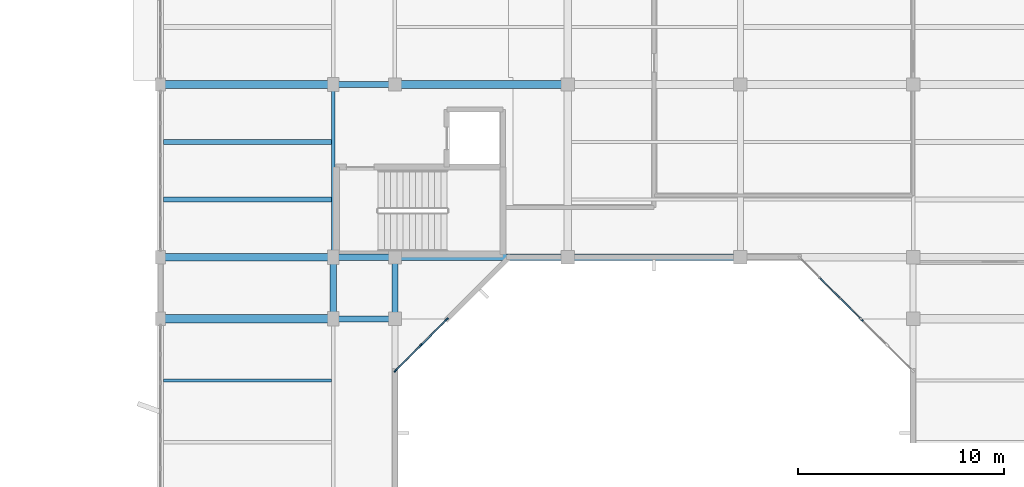
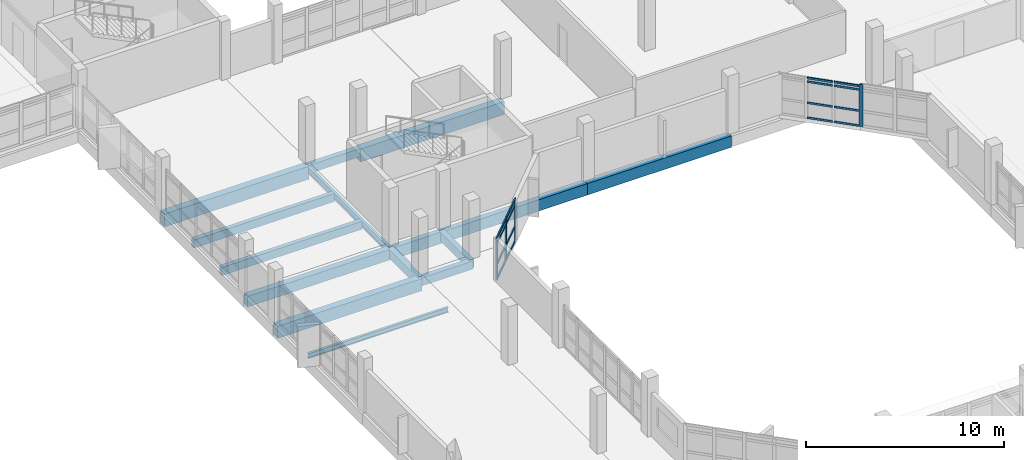
# One storey, part 30 of 104: 20 members, 15 beams, 3 elements without a shape of their own.
"""IFC4 building model written with IfcOpenShell, lengths in metres."""

from ifc_helpers import new_model, si_unit, direction, frame, origin, origin_2d, place, context, subcontext, project, spatial, rectangle, i_section, extrude, material, material_profile, profile_set, type_object, element, aggregate, save


model = new_model("IFC4")

# Units and contexts
model_context = context("Model", 3, precision=1e-05, world=origin(), true_north=direction((0.0, 1.0)))
body_context = subcontext(model_context, "Body", "Model", "MODEL_VIEW")
ifc_project = project(units=[si_unit("LENGTHUNIT", "METRE"), si_unit("AREAUNIT", "SQUARE_METRE"), si_unit("VOLUMEUNIT", "CUBIC_METRE"), si_unit("PLANEANGLEUNIT", "RADIAN"), si_unit("MASSUNIT", "GRAM", prefix="KILO")], contexts=[model_context])

# Site, building, storey
site_placement = place(None, origin())
site = spatial("IfcSite", under=ifc_project, at=site_placement, CompositionType="ELEMENT")
building_placement = place(site_placement, origin())
building = spatial("IfcBuilding", under=site, at=building_placement, Name="Vanh Quang Courtyard School", CompositionType="ELEMENT")
storey_placement = place(building_placement, frame((0.0, 0.0, 4.199951171875)))
storey = spatial("IfcBuildingStorey", under=building, at=storey_placement, Name="L01", CompositionType="ELEMENT", Elevation=4.199951171875)

# Beams
ifc_material_1 = material(Name="Concrete C35/45", Category="concrete")
ifc_material_profile_1 = material_profile(ifc_material_1, rectangle(XDim=0.300048828125, YDim=0.5, at=origin_2d()), Name="RC-BM 300x500")
ifc_profile_set_1 = profile_set([ifc_material_profile_1], Name="Concrete C35/45")
beam_type_1 = type_object("IfcBeamType", Name="BM-RC-300x500", PredefinedType="BEAM", material=ifc_profile_set_1)
for number, where, z_axis, x_axis, name in (
    (1, (37.800048828125, 68.39990234375, -0.530029296875), (1.0, 0.0, 0.0), (0.0, 1.0, 0.0), "Beam B-08 (L01)"),
    (2, (37.800048828125, 79.800048828125, -0.530029296875), (1.0, 0.0, 0.0), (0.0, 1.0, 0.0), "Beam B-08 (L01)"),
):
    element("IfcBeam", number, at=place(storey_placement, frame(where, z_axis=z_axis, x_axis=x_axis)), inside=storey, type_object=beam_type_1, Name=name, PredefinedType="BEAM", context=body_context, shape_type="SweptSolid", body=[
        extrude(rectangle(XDim=0.300048828125, YDim=0.5, at=origin_2d()), origin(), (0.0, 0.0, 1.0), 3.0),
    ])
ifc_material_profile_2 = material_profile(ifc_material_1, rectangle(XDim=0.300048828125, YDim=0.550048828125, at=origin_2d()), Name="RC-BM 300x550")
ifc_profile_set_2 = profile_set([ifc_material_profile_2], Name="Concrete C35/45")
beam_type_2 = type_object("IfcBeamType", Name="BM-RC-300x550", PredefinedType="BEAM", material=ifc_profile_set_2)
for number, where, z_axis, x_axis, name in (
    (3, (37.800048828125, 68.39990234375, -0.554931640625), (0.0, 1.0, 0.0), (-1.0, 0.0, 0.0), "Beam B-07 (L01)"),
    (4, (40.800048828125, 68.39990234375, -0.554931640625), (0.0, 1.0, 0.0), (-1.0, 0.0, 0.0), "Beam B-07 (L01)"),
):
    element("IfcBeam", number, at=place(storey_placement, frame(where, z_axis=z_axis, x_axis=x_axis)), inside=storey, type_object=beam_type_2, Name=name, PredefinedType="BEAM", context=body_context, shape_type="SweptSolid", body=[
        extrude(rectangle(XDim=0.300048828125, YDim=0.550048828125, at=origin_2d()), origin(), (0.0, 0.0, 1.0), 3.0),
    ])
ifc_material_profile_3 = material_profile(ifc_material_1, rectangle(XDim=0.35009765625, YDim=0.64990234375, at=origin_2d()), Name="RC-BM 350x650")
ifc_profile_set_3 = profile_set([ifc_material_profile_3], Name="Concrete C35/45")
beam_type_3 = type_object("IfcBeamType", Name="BM-RC-350x650", PredefinedType="BEAM", material=ifc_profile_set_3)
beam_1_placement = place(storey_placement, frame((29.39990234375, 71.39990234375, -0.60498046875), z_axis=(1.0, 0.0, 0.0), x_axis=(0.0, 1.0, 0.0)))
element("IfcBeam", 5, at=beam_1_placement, inside=storey, type_object=beam_type_3, Name="Beam B-05 (L01)", PredefinedType="BEAM", context=body_context, shape_type="SweptSolid", body=[
    extrude(rectangle(XDim=0.35009765625, YDim=0.64990234375, at=origin_2d()), origin(), (0.0, 0.0, 1.0), 8.400146484375),
])
ifc_material_profile_4 = material_profile(ifc_material_1, rectangle(XDim=0.39990234375, YDim=0.75, at=origin_2d()), Name="RC-BM 400x750")
ifc_profile_set_4 = profile_set([ifc_material_profile_4], Name="Concrete C35/45")
beam_type_4 = type_object("IfcBeamType", Name="BM-RC-400x750", PredefinedType="BEAM", material=ifc_profile_set_4)
beam_2_placement = place(storey_placement, frame((29.39990234375, 68.39990234375, -0.655029296875), z_axis=(1.0, 0.0, 0.0), x_axis=(0.0, 1.0, 0.0)))
element("IfcBeam", 6, at=beam_2_placement, inside=storey, type_object=beam_type_4, Name="Beam B-03 (L01)", PredefinedType="BEAM", context=body_context, shape_type="SweptSolid", body=[
    extrude(rectangle(XDim=0.39990234375, YDim=0.75, at=origin_2d()), origin(), (0.0, 0.0, 1.0), 8.400146484375),
])
ifc_material_profile_5 = material_profile(ifc_material_1, rectangle(XDim=0.39990234375, YDim=0.800048828125, at=origin_2d()), Name="RC-BM 400x800")
ifc_profile_set_5 = profile_set([ifc_material_profile_5], Name="Concrete C35/45")
beam_type_5 = type_object("IfcBeamType", Name="BM-RC-400x800", PredefinedType="BEAM", material=ifc_profile_set_5)
beam_3_placement = place(storey_placement, frame((29.39990234375, 79.800048828125, -0.679931640625), z_axis=(1.0, 0.0, 0.0), x_axis=(0.0, 1.0, 0.0)))
element("IfcBeam", 7, at=beam_3_placement, inside=storey, type_object=beam_type_5, Name="Beam B-02 (L01)", PredefinedType="BEAM", context=body_context, shape_type="SweptSolid", body=[
    extrude(rectangle(XDim=0.39990234375, YDim=0.800048828125, at=origin_2d()), origin(), (0.0, 0.0, 1.0), 8.400146484375),
])
beam_4_placement = place(storey_placement, frame((40.800048828125, 79.800048828125, -0.679931640625), z_axis=(1.0, 0.0, 0.0), x_axis=(0.0, 1.0, 0.0)))
element("IfcBeam", 8, at=beam_4_placement, inside=storey, type_object=beam_type_5, Name="Beam B-02 (L01)", PredefinedType="BEAM", context=body_context, shape_type="SweptSolid", body=[
    extrude(rectangle(XDim=0.39990234375, YDim=0.800048828125, at=origin_2d()), origin(), (0.0, 0.0, 1.0), 8.39990234375),
])
ifc_material_profile_6 = material_profile(ifc_material_1, rectangle(XDim=0.300048828125, YDim=0.699951171875, at=origin_2d()), Name="RC-SP 300x700")
ifc_profile_set_6 = profile_set([ifc_material_profile_6], Name="Concrete C35/45")
beam_type_6 = type_object("IfcBeamType", Name="BM-SP-300x700", PredefinedType="SPANDREL", material=ifc_profile_set_6)
beam_5_placement = place(storey_placement, frame((37.800048828125, 71.39990234375, -0.6298828125), z_axis=(1.0, 0.0, 0.0), x_axis=(0.0, 1.0, 0.0)))
element("IfcBeam", 9, at=beam_5_placement, inside=storey, type_object=beam_type_6, Name="Beam BS-01 (L01)", PredefinedType="SPANDREL", context=body_context, shape_type="SweptSolid", body=[
    extrude(rectangle(XDim=0.300048828125, YDim=0.699951171875, at=origin_2d()), origin(), (0.0, 0.0, 1.0), 3.0),
])
beam_6_placement = place(storey_placement, frame((40.800048828125, 71.39990234375, -0.6298828125), z_axis=(1.0, 0.0, 0.0), x_axis=(0.0, 1.0, 0.0)))
element("IfcBeam", 10, at=beam_6_placement, inside=storey, type_object=beam_type_6, Name="Beam BS-01 (L01)", PredefinedType="SPANDREL", context=body_context, shape_type="SweptSolid", body=[
    extrude(rectangle(XDim=0.300048828125, YDim=0.699951171875, at=origin_2d()), origin(), (0.0, 0.0, 1.0), 8.39990234375),
])
beam_7_placement = place(storey_placement, frame((49.199951171875, 71.39990234375, -0.6298828125), z_axis=(1.0, 0.0, 0.0), x_axis=(0.0, 1.0, 0.0)))
element("IfcBeam", 11, at=beam_7_placement, inside=storey, type_object=beam_type_6, Name="Beam BS-01 (L01)", PredefinedType="SPANDREL", context=body_context, shape_type="SweptSolid", body=[
    extrude(rectangle(XDim=0.300048828125, YDim=0.699951171875, at=origin_2d()), origin(), (0.0, 0.0, 1.0), 8.400146484375),
])
ifc_material_2 = material(Name="Structural steel EN 10025-2 S355J2", Category="steel")
ifc_material_profile_7 = material_profile(ifc_material_2, i_section(OverallWidth=0.179931640625, OverallDepth=0.39990234375, WebThickness=0.008544921875, FlangeThickness=0.013427734375, FilletRadius=0.02099609375, at=origin_2d()), Name="IPE 400")
ifc_profile_set_7 = profile_set([ifc_material_profile_7], Name="Structural steel EN 10025-2 S355J2")
beam_type_7 = type_object("IfcBeamType", Name="BM-STL-IPE400", PredefinedType="BEAM", material=ifc_profile_set_7)
beam_8_placement = place(storey_placement, frame((37.800048828125, 71.39990234375, -0.47998046875), z_axis=(0.0, 1.0, 0.0), x_axis=(-1.0, 0.0, 0.0)))
element("IfcBeam", 12, at=beam_8_placement, inside=storey, type_object=beam_type_7, Name="Beam SB-05 (L01)", PredefinedType="BEAM", context=body_context, shape_type="SweptSolid", body=[
    extrude(i_section(OverallWidth=0.179931640625, OverallDepth=0.39990234375, WebThickness=0.008544921875, FlangeThickness=0.013427734375, FilletRadius=0.02099609375, at=origin_2d()), origin(), (0.0, 0.0, 1.0), 8.400146484375),
])

# Curtain wall, members
ifc_material_3 = material(Name="Thermally broken aluminium unitised curtain wall", Category="aluminium")
curtain_wall_type_1 = type_object("IfcCurtainWallType", Name="CW-SYS-41", PredefinedType="NOTDEFINED", material=ifc_material_3)
curtain_wall_1_placement = place(storey_placement, origin())
curtain_wall_1 = element("IfcCurtainWall", 13, at=curtain_wall_1_placement, inside=storey, type_object=curtain_wall_type_1, Name="Curtain Wall CW-41 (L01)", PredefinedType="NOTDEFINED")
ifc_material_4 = material(Name="Anodised aluminium 6063-T6", Category="aluminium")
ifc_material_profile_8 = material_profile(ifc_material_4, rectangle(XDim=0.070068359375, YDim=0.179931640625, at=origin_2d()), Name="ALU-MUL 70x180")
ifc_profile_set_8 = profile_set([ifc_material_profile_8], Name="Anodised aluminium 6063-T6")
member_type_1 = type_object("IfcMemberType", Name="CW-MUL-70x180", PredefinedType="MULLION", material=ifc_profile_set_8)
member_1_placement = place(storey_placement, frame((43.3193359375, 68.375244140625, 0.0), z_axis=(0.0, 0.0, 1.0), x_axis=(0.707106781187, -0.707106781187, 0.0)))
member_1 = element("IfcMember", 14, at=member_1_placement, type_object=member_type_1, Name="CW-41 mullion 1", PredefinedType="MULLION", context=body_context, shape_type="SweptSolid", body=[
    extrude(rectangle(XDim=0.070068359375, YDim=0.179931640625, at=origin_2d()), origin(), (0.0, 0.0, 1.0), 2.60009765625),
])
member_2_placement = place(storey_placement, frame((42.072021484375, 67.1279296875, 0.0), z_axis=(0.0, 0.0, 1.0), x_axis=(0.707106781187, -0.707106781187, 0.0)))
member_2 = element("IfcMember", 15, at=member_2_placement, type_object=member_type_1, Name="CW-41 mullion 2", PredefinedType="MULLION", context=body_context, shape_type="SweptSolid", body=[
    extrude(rectangle(XDim=0.070068359375, YDim=0.179931640625, at=origin_2d()), origin(), (0.0, 0.0, 1.0), 2.60009765625),
])
member_3_placement = place(storey_placement, frame((40.82470703125, 65.880859375, 0.0), z_axis=(0.0, 0.0, 1.0), x_axis=(0.707106781187, -0.707106781187, 0.0)))
member_3 = element("IfcMember", 16, at=member_3_placement, type_object=member_type_1, Name="CW-41 mullion 3", PredefinedType="MULLION", context=body_context, shape_type="SweptSolid", body=[
    extrude(rectangle(XDim=0.070068359375, YDim=0.179931640625, at=origin_2d()), origin(), (0.0, 0.0, 1.0), 2.60009765625),
])

# Curtain wall, member
curtain_wall_2_placement = place(storey_placement, origin())
curtain_wall_2 = element("IfcCurtainWall", 17, at=curtain_wall_2_placement, inside=storey, type_object=curtain_wall_type_1, Name="Curtain Wall CW-41 (L01)", PredefinedType="NOTDEFINED")
ifc_material_profile_9 = material_profile(ifc_material_4, rectangle(XDim=0.080078125, YDim=0.199951171875, at=origin_2d()), Name="ALU-MUL 80x200")
ifc_profile_set_9 = profile_set([ifc_material_profile_9], Name="Anodised aluminium 6063-T6")
member_type_2 = type_object("IfcMemberType", Name="CW-MUL-80x200", PredefinedType="MULLION", material=ifc_profile_set_9)
member_4_placement = place(storey_placement, frame((63.484375, 68.371826171875, 0.0), z_axis=(0.0, 0.0, 1.0), x_axis=(-0.707106781187, -0.707106781187, 0.0)))
member_4 = element("IfcMember", 18, at=member_4_placement, type_object=member_type_2, Name="CW-41 mullion 3", PredefinedType="MULLION", context=body_context, shape_type="SweptSolid", body=[
    extrude(rectangle(XDim=0.080078125, YDim=0.199951171875, at=origin_2d()), origin(), (0.0, 0.0, 1.0), 2.60009765625),
])
aggregate(curtain_wall_2, [member_4])

# Curtain wall, members
curtain_wall_type_2 = type_object("IfcCurtainWallType", Name="CW-SYS-42", PredefinedType="NOTDEFINED", material=ifc_material_3)
curtain_wall_3_placement = place(storey_placement, origin())
curtain_wall_3 = element("IfcCurtainWall", 19, at=curtain_wall_3_placement, inside=storey, type_object=curtain_wall_type_2, Name="Curtain Wall CW-42 (L01)", PredefinedType="NOTDEFINED")
ifc_material_profile_10 = material_profile(ifc_material_4, rectangle(XDim=0.06005859375, YDim=0.1201171875, at=origin_2d()), Name="ALU-TRN 60x120")
ifc_profile_set_10 = profile_set([ifc_material_profile_10], Name="Anodised aluminium 6063-T6")
member_type_3 = type_object("IfcMemberType", Name="CW-TRN-60x120", PredefinedType="USERDEFINED", material=ifc_profile_set_10)
member_5_placement = place(storey_placement, frame((63.41357421875, 68.4423828125, 0.030029296875), z_axis=(-0.707014595961, 0.707198954395, 0.0), x_axis=(-0.707198954395, -0.707014595961, 0.0)))
member_5 = element("IfcMember", 20, at=member_5_placement, type_object=member_type_3, Name="CW-42 transom 1.1", ObjectType="TRANSOM", PredefinedType="USERDEFINED", context=body_context, shape_type="SweptSolid", body=[
    extrude(rectangle(XDim=0.06005859375, YDim=0.1201171875, at=origin_2d()), origin(), (0.0, 0.0, 1.0), 1.32421875),
])
member_6_placement = place(storey_placement, frame((63.41357421875, 68.4423828125, 0.949951171875), z_axis=(-0.707014595961, 0.707198954395, 0.0), x_axis=(-0.707198954395, -0.707014595961, 0.0)))
member_6 = element("IfcMember", 21, at=member_6_placement, type_object=member_type_3, Name="CW-42 transom 1.2", ObjectType="TRANSOM", PredefinedType="USERDEFINED", context=body_context, shape_type="SweptSolid", body=[
    extrude(rectangle(XDim=0.06005859375, YDim=0.1201171875, at=origin_2d()), origin(), (0.0, 0.0, 1.0), 1.32421875),
])
member_7_placement = place(storey_placement, frame((63.41357421875, 68.4423828125, 2.25), z_axis=(-0.707014595961, 0.707198954395, 0.0), x_axis=(-0.707198954395, -0.707014595961, 0.0)))
member_7 = element("IfcMember", 22, at=member_7_placement, type_object=member_type_3, Name="CW-42 transom 1.3", ObjectType="TRANSOM", PredefinedType="USERDEFINED", context=body_context, shape_type="SweptSolid", body=[
    extrude(rectangle(XDim=0.06005859375, YDim=0.1201171875, at=origin_2d()), origin(), (0.0, 0.0, 1.0), 1.32421875),
])
member_8_placement = place(storey_placement, frame((63.41357421875, 68.4423828125, 2.469970703125), z_axis=(-0.707014595961, 0.707198954395, 0.0), x_axis=(-0.707198954395, -0.707014595961, 0.0)))
member_8 = element("IfcMember", 23, at=member_8_placement, type_object=member_type_3, Name="CW-42 transom 1.4", ObjectType="TRANSOM", PredefinedType="USERDEFINED", context=body_context, shape_type="SweptSolid", body=[
    extrude(rectangle(XDim=0.06005859375, YDim=0.1201171875, at=origin_2d()), origin(), (0.0, 0.0, 1.0), 1.32421875),
])
member_9_placement = place(storey_placement, frame((62.434814453125, 69.421142578125, 0.030029296875), z_axis=(-0.707016640735, 0.707196910149, 0.0), x_axis=(-0.707196910149, -0.707016640735, 0.0)))
member_9 = element("IfcMember", 24, at=member_9_placement, type_object=member_type_3, Name="CW-42 transom 2.1", ObjectType="TRANSOM", PredefinedType="USERDEFINED", context=body_context, shape_type="SweptSolid", body=[
    extrude(rectangle(XDim=0.06005859375, YDim=0.1201171875, at=origin_2d()), origin(), (0.0, 0.0, 1.0), 1.354248046875),
])
member_10_placement = place(storey_placement, frame((62.434814453125, 69.421142578125, 0.949951171875), z_axis=(-0.707016640735, 0.707196910149, 0.0), x_axis=(-0.707196910149, -0.707016640735, 0.0)))
member_10 = element("IfcMember", 25, at=member_10_placement, type_object=member_type_3, Name="CW-42 transom 2.2", ObjectType="TRANSOM", PredefinedType="USERDEFINED", context=body_context, shape_type="SweptSolid", body=[
    extrude(rectangle(XDim=0.06005859375, YDim=0.1201171875, at=origin_2d()), origin(), (0.0, 0.0, 1.0), 1.354248046875),
])
member_11_placement = place(storey_placement, frame((62.434814453125, 69.421142578125, 2.25), z_axis=(-0.707016640735, 0.707196910149, 0.0), x_axis=(-0.707196910149, -0.707016640735, 0.0)))
member_11 = element("IfcMember", 26, at=member_11_placement, type_object=member_type_3, Name="CW-42 transom 2.3", ObjectType="TRANSOM", PredefinedType="USERDEFINED", context=body_context, shape_type="SweptSolid", body=[
    extrude(rectangle(XDim=0.06005859375, YDim=0.1201171875, at=origin_2d()), origin(), (0.0, 0.0, 1.0), 1.354248046875),
])
member_12_placement = place(storey_placement, frame((62.434814453125, 69.421142578125, 2.469970703125), z_axis=(-0.707016640735, 0.707196910149, 0.0), x_axis=(-0.707196910149, -0.707016640735, 0.0)))
member_12 = element("IfcMember", 27, at=member_12_placement, type_object=member_type_3, Name="CW-42 transom 2.4", ObjectType="TRANSOM", PredefinedType="USERDEFINED", context=body_context, shape_type="SweptSolid", body=[
    extrude(rectangle(XDim=0.06005859375, YDim=0.1201171875, at=origin_2d()), origin(), (0.0, 0.0, 1.0), 1.354248046875),
])
aggregate(curtain_wall_3, [member_5, member_6, member_7, member_8, member_9, member_10, member_11, member_12])

# Member
ifc_material_profile_11 = material_profile(ifc_material_4, rectangle(XDim=0.070068359375, YDim=0.139892578125, at=origin_2d()), Name="ALU-TRN 70x140")
ifc_profile_set_11 = profile_set([ifc_material_profile_11], Name="Anodised aluminium 6063-T6")
member_type_4 = type_object("IfcMemberType", Name="CW-TRN-70x140", PredefinedType="USERDEFINED", material=ifc_profile_set_11)
member_13_placement = place(storey_placement, frame((43.29443359375, 68.3505859375, 0.03515625), z_axis=(-0.707106781187, -0.707106781187, 0.0), x_axis=(0.707106781187, -0.707106781187, 0.0)))
member_13 = element("IfcMember", 28, at=member_13_placement, type_object=member_type_4, Name="CW-41 transom 1.1", ObjectType="TRANSOM", PredefinedType="USERDEFINED", context=body_context, shape_type="SweptSolid", body=[
    extrude(rectangle(XDim=0.070068359375, YDim=0.139892578125, at=origin_2d()), origin(), (0.0, 0.0, 1.0), 1.69384765625),
])

member_14_placement = place(storey_placement, frame((43.29443359375, 68.3505859375, 0.949951171875), z_axis=(-0.707106781187, -0.707106781187, 0.0), x_axis=(0.707106781187, -0.707106781187, 0.0)))
member_14 = element("IfcMember", 29, at=member_14_placement, type_object=member_type_4, Name="CW-41 transom 1.2", ObjectType="TRANSOM", PredefinedType="USERDEFINED", context=body_context, shape_type="SweptSolid", body=[
    extrude(rectangle(XDim=0.070068359375, YDim=0.139892578125, at=origin_2d()), origin(), (0.0, 0.0, 1.0), 1.69384765625),
])

member_15_placement = place(storey_placement, frame((43.29443359375, 68.3505859375, 2.25), z_axis=(-0.707106781187, -0.707106781187, 0.0), x_axis=(0.707106781187, -0.707106781187, 0.0)))
member_15 = element("IfcMember", 30, at=member_15_placement, type_object=member_type_4, Name="CW-41 transom 1.3", ObjectType="TRANSOM", PredefinedType="USERDEFINED", context=body_context, shape_type="SweptSolid", body=[
    extrude(rectangle(XDim=0.070068359375, YDim=0.139892578125, at=origin_2d()), origin(), (0.0, 0.0, 1.0), 1.69384765625),
])

member_16_placement = place(storey_placement, frame((43.29443359375, 68.3505859375, 2.56494140625), z_axis=(-0.707106781187, -0.707106781187, 0.0), x_axis=(0.707106781187, -0.707106781187, 0.0)))
member_16 = element("IfcMember", 31, at=member_16_placement, type_object=member_type_4, Name="CW-41 transom 1.4", ObjectType="TRANSOM", PredefinedType="USERDEFINED", context=body_context, shape_type="SweptSolid", body=[
    extrude(rectangle(XDim=0.070068359375, YDim=0.139892578125, at=origin_2d()), origin(), (0.0, 0.0, 1.0), 1.69384765625),
])

member_17_placement = place(storey_placement, frame((42.04736328125, 67.103271484375, 0.03515625), z_axis=(-0.707106781187, -0.707106781187, 0.0), x_axis=(0.707106781187, -0.707106781187, 0.0)))
member_17 = element("IfcMember", 32, at=member_17_placement, type_object=member_type_4, Name="CW-41 transom 2.1", ObjectType="TRANSOM", PredefinedType="USERDEFINED", context=body_context, shape_type="SweptSolid", body=[
    extrude(rectangle(XDim=0.070068359375, YDim=0.139892578125, at=origin_2d()), origin(), (0.0, 0.0, 1.0), 1.69384765625),
])

member_18_placement = place(storey_placement, frame((42.04736328125, 67.103271484375, 0.949951171875), z_axis=(-0.707106781187, -0.707106781187, 0.0), x_axis=(0.707106781187, -0.707106781187, 0.0)))
member_18 = element("IfcMember", 33, at=member_18_placement, type_object=member_type_4, Name="CW-41 transom 2.2", ObjectType="TRANSOM", PredefinedType="USERDEFINED", context=body_context, shape_type="SweptSolid", body=[
    extrude(rectangle(XDim=0.070068359375, YDim=0.139892578125, at=origin_2d()), origin(), (0.0, 0.0, 1.0), 1.69384765625),
])

member_19_placement = place(storey_placement, frame((42.04736328125, 67.103271484375, 2.25), z_axis=(-0.707106781187, -0.707106781187, 0.0), x_axis=(0.707106781187, -0.707106781187, 0.0)))
member_19 = element("IfcMember", 34, at=member_19_placement, type_object=member_type_4, Name="CW-41 transom 2.3", ObjectType="TRANSOM", PredefinedType="USERDEFINED", context=body_context, shape_type="SweptSolid", body=[
    extrude(rectangle(XDim=0.070068359375, YDim=0.139892578125, at=origin_2d()), origin(), (0.0, 0.0, 1.0), 1.69384765625),
])

member_20_placement = place(storey_placement, frame((42.04736328125, 67.103271484375, 2.56494140625), z_axis=(-0.707106781187, -0.707106781187, 0.0), x_axis=(0.707106781187, -0.707106781187, 0.0)))
member_20 = element("IfcMember", 35, at=member_20_placement, type_object=member_type_4, Name="CW-41 transom 2.4", ObjectType="TRANSOM", PredefinedType="USERDEFINED", context=body_context, shape_type="SweptSolid", body=[
    extrude(rectangle(XDim=0.070068359375, YDim=0.139892578125, at=origin_2d()), origin(), (0.0, 0.0, 1.0), 1.69384765625),
])

aggregate(curtain_wall_1, [member_1, member_2, member_3, member_13, member_14, member_15, member_16, member_17, member_18, member_19, member_20])

# Beams
ifc_material_5 = material(Name="Concrete C30/37", Category="concrete")
ifc_material_profile_12 = material_profile(ifc_material_5, rectangle(XDim=0.25, YDim=0.5, at=origin_2d()), Name="RC-JST 250x500")
ifc_profile_set_12 = profile_set([ifc_material_profile_12], Name="Concrete C30/37")
beam_type_8 = type_object("IfcBeamType", Name="JST-RC-250x500", PredefinedType="JOIST", material=ifc_profile_set_12)
for number, where, z_axis, x_axis, name in (
    (36, (29.550048828125, 74.199951171875, -0.530029296875), (1.0, 0.0, 0.0), (0.0, 1.0, 0.0), "Beam BJ-01 (L01)"),
    (37, (29.550048828125, 77.0, -0.530029296875), (1.0, 0.0, 0.0), (0.0, 1.0, 0.0), "Beam BJ-01 (L01)"),
):
    element("IfcBeam", number, at=place(storey_placement, frame(where, z_axis=z_axis, x_axis=x_axis)), inside=storey, type_object=beam_type_8, Name=name, PredefinedType="JOIST", context=body_context, shape_type="SweptSolid", body=[
        extrude(rectangle(XDim=0.25, YDim=0.5, at=origin_2d()), origin(), (0.0, 0.0, 1.0), 8.159912109375),
    ])
ifc_material_profile_13 = material_profile(ifc_material_2, i_section(OverallWidth=0.14990234375, OverallDepth=0.300048828125, WebThickness=0.007080078125, FlangeThickness=0.0107421875, FilletRadius=0.014892578125, at=origin_2d()), Name="IPE 300")
ifc_profile_set_13 = profile_set([ifc_material_profile_13], Name="Structural steel EN 10025-2 S355J2")
beam_type_9 = type_object("IfcBeamType", Name="JST-STL-IPE300", PredefinedType="JOIST", material=ifc_profile_set_13)
beam_9_placement = place(storey_placement, frame((29.550048828125, 65.39990234375, -0.429931640625), z_axis=(1.0, 0.0, 0.0), x_axis=(0.0, 1.0, 0.0)))
element("IfcBeam", 38, at=beam_9_placement, inside=storey, type_object=beam_type_9, Name="Beam SJ-02 (L01)", PredefinedType="JOIST", context=body_context, shape_type="SweptSolid", body=[
    extrude(i_section(OverallWidth=0.14990234375, OverallDepth=0.300048828125, WebThickness=0.007080078125, FlangeThickness=0.0107421875, FilletRadius=0.014892578125, at=origin_2d()), origin(), (0.0, 0.0, 1.0), 8.159912109375),
])

save(model, "model.ifc")
